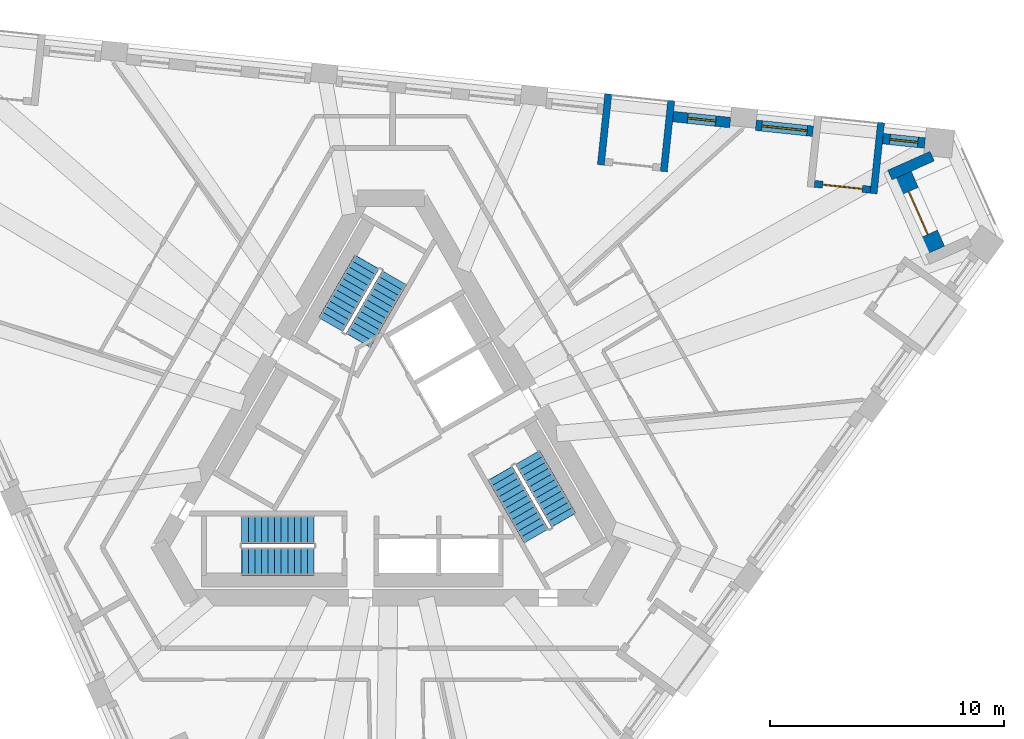
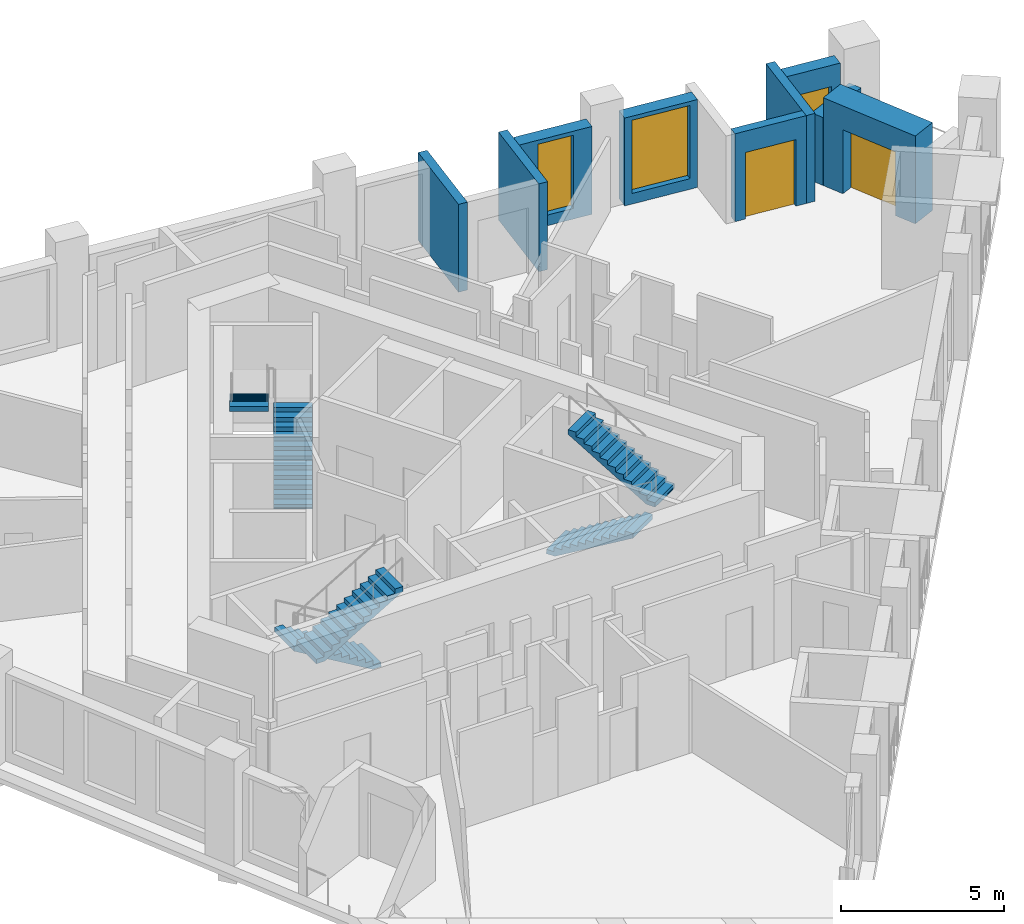
# One storey, part 8 of 11: 9 walls, 6 stair flights, 3 windows, 2 doors, 5 openings, 3 elements without a shape of their own.
"""IFC4 building model written with IfcOpenShell, lengths in metres."""

from ifc_helpers import new_model, si_unit, direction, frame, frame_2d, origin, place, context, subcontext, project, spatial, polyline, rectangle, outline, extrude, material, layer, layer_set, type_object, element, fill, aggregate, save


model = new_model("IFC4")

# Units and contexts
model_context = context("Model", 3, precision=1e-05, world=origin(), true_north=direction((0.0, 1.0)))
body_context = subcontext(model_context, "Body", "Model", "MODEL_VIEW")
ifc_project = project(units=[si_unit("LENGTHUNIT", "METRE"), si_unit("AREAUNIT", "SQUARE_METRE"), si_unit("VOLUMEUNIT", "CUBIC_METRE"), si_unit("PLANEANGLEUNIT", "RADIAN"), si_unit("MASSUNIT", "GRAM", prefix="KILO")], contexts=[model_context])

# Site, building, storey
site_placement = place(None, origin())
site = spatial("IfcSite", under=ifc_project, at=site_placement, CompositionType="ELEMENT")
building_placement = place(site_placement, origin())
building = spatial("IfcBuilding", under=site, at=building_placement, Name="Tramontana Tower", CompositionType="ELEMENT")
storey_placement = place(building_placement, frame((0.0, 0.0, 241.199951171875)))
storey = spatial("IfcBuildingStorey", under=building, at=storey_placement, Name="L56", CompositionType="ELEMENT", Elevation=241.199951171875)

# Wall, opening, window
ifc_material_1 = material(Name="Precast concrete 60 MPa", Category="concrete")
ifc_layer_1 = layer(ifc_material_1, 0.449951171875)
ifc_layer_set_1 = layer_set([ifc_layer_1], Name="Precast concrete 60 MPa, 450 mm")
wall_type_1 = type_object("IfcWallType", Name="EW1 Stone-faced precast wall 450", PredefinedType="SOLIDWALL", material=ifc_layer_set_1)
wall_1_placement = place(storey_placement, frame((22.8017578125, 13.012939453125, 0.0), z_axis=(0.0, 0.0, 1.0), x_axis=(-0.994529922737, 0.104452059724, 0.0)))
wall_1 = element("IfcWall", 1, at=wall_1_placement, inside=storey, type_object=wall_type_1, Name="External wall L56 face 2 bay 1", PredefinedType="SOLIDWALL", context=body_context, shape_type="SweptSolid", body=[
    extrude(rectangle(XDim=1.802001953125, YDim=0.449951171875, at=frame_2d((0.90087890625, 0.0))), origin(), (0.0, 0.0, 1.0), 3.300048828125),
])
opening_1_placement = place(wall_1_placement, frame((0.301025390625, 0.0, 0.39990234375)))
opening_1 = element("IfcOpeningElement", 2, at=opening_1_placement, cuts=wall_1, Name="Opening N3L", PredefinedType="OPENING", context=body_context, shape_type="SweptSolid", body=[
    extrude(rectangle(XDim=1.199951171875, YDim=2.10009765625, at=frame_2d((0.60009765625, 1.050048828125))), frame((0.0, 0.23486328125, 0.0), z_axis=(0.0, -1.0, 0.0), x_axis=(1.0, 0.0, 0.0)), (0.0, 0.0, 1.0), 0.469970703125),
])
ifc_material_2 = material(Name="Aluminum frame, double glazing unit", Category="aluminium")
window_type_1 = type_object("IfcWindowType", Name="N3L Window 1.2 x 2.1", PartitioningType="SINGLE_PANEL", PredefinedType="WINDOW", material=ifc_material_2)
window_1_placement = place(opening_1_placement, origin())
window_1 = element("IfcWindow", 3, at=window_1_placement, inside=storey, type_object=window_type_1, Name="Window N3L L56 face 2 module 1", OverallHeight=2.10009765625, OverallWidth=1.199951171875, PartitioningType="SINGLE_PANEL", PredefinedType="WINDOW", context=body_context, shape_type="SweptSolid", body=[
    extrude(rectangle(XDim=1.199951171875, YDim=2.10009765625, at=frame_2d((0.60009765625, 1.050048828125))), frame((0.0, 0.030029296875, 0.0), z_axis=(0.0, -1.0, 0.0), x_axis=(1.0, 0.0, 0.0)), (0.0, 0.0, 1.0), 0.06005859375),
])
fill(opening_1, window_1)

wall_2_placement = place(storey_placement, frame((18.023681640625, 13.51513671875, 0.0), z_axis=(0.0, 0.0, 1.0), x_axis=(-0.994520717537, 0.104539668977, 0.0)))
wall_2 = element("IfcWall", 4, at=wall_2_placement, inside=storey, type_object=wall_type_1, Name="External wall L56 face 2 bay 1", PredefinedType="SOLIDWALL", context=body_context, shape_type="SweptSolid", body=[
    extrude(rectangle(XDim=2.4521484375, YDim=0.449951171875, at=frame_2d((1.22607421875, 0.0))), origin(), (0.0, 0.0, 1.0), 3.300048828125),
])
opening_2_placement = place(wall_2_placement, frame((0.251220703125, 0.0, 0.39990234375)))
opening_2 = element("IfcOpeningElement", 5, at=opening_2_placement, cuts=wall_2, Name="Opening M3", PredefinedType="OPENING", context=body_context, shape_type="SweptSolid", body=[
    extrude(rectangle(XDim=1.949951171875, YDim=2.75, at=frame_2d((0.97509765625, 1.375))), frame((0.0, 0.23486328125, 0.0), z_axis=(0.0, -1.0, 0.0), x_axis=(1.0, 0.0, 0.0)), (0.0, 0.0, 1.0), 0.469970703125),
])
ifc_material_3 = material(Name="Aluminum frame, double glazing unit", Category="aluminium")
window_type_2 = type_object("IfcWindowType", Name="M3 Window 1.95 x 2.75", PartitioningType="SINGLE_PANEL", PredefinedType="WINDOW", material=ifc_material_3)
window_2_placement = place(opening_2_placement, origin())
window_2 = element("IfcWindow", 6, at=window_2_placement, inside=storey, type_object=window_type_2, Name="Window M3 L56 face 2 module 3", OverallHeight=2.75, OverallWidth=1.949951171875, PartitioningType="SINGLE_PANEL", PredefinedType="WINDOW", context=body_context, shape_type="SweptSolid", body=[
    extrude(rectangle(XDim=1.949951171875, YDim=2.75, at=frame_2d((0.97509765625, 1.375))), frame((0.0, 0.030029296875, 0.0), z_axis=(0.0, -1.0, 0.0), x_axis=(1.0, 0.0, 0.0)), (0.0, 0.0, 1.0), 0.06005859375),
])
fill(opening_2, window_2)

wall_3_placement = place(storey_placement, frame((14.490966796875, 13.886474609375, 0.0), z_axis=(0.0, 0.0, 1.0), x_axis=(-0.99453214974, 0.104430853361, 0.0)))
wall_3 = element("IfcWall", 7, at=wall_3_placement, inside=storey, type_object=wall_type_1, Name="External wall L56 face 2 bay 2", PredefinedType="SOLIDWALL", context=body_context, shape_type="SweptSolid", body=[
    extrude(rectangle(XDim=2.452392578125, YDim=0.449951171875, at=frame_2d((1.22607421875, 0.0))), origin(), (0.0, 0.0, 1.0), 3.300048828125),
])
opening_3_placement = place(wall_3_placement, frame((0.626220703125, 0.0, 0.39990234375)))
opening_3 = element("IfcOpeningElement", 8, at=opening_3_placement, cuts=wall_3, Name="Opening N3", PredefinedType="OPENING", context=body_context, shape_type="SweptSolid", body=[
    extrude(rectangle(XDim=1.199951171875, YDim=2.75, at=frame_2d((0.60009765625, 1.375))), frame((0.0, 0.23486328125, 0.0), z_axis=(0.0, -1.0, 0.0), x_axis=(1.0, 0.0, 0.0)), (0.0, 0.0, 1.0), 0.469970703125),
])
ifc_material_4 = material(Name="Aluminum frame, double glazing unit", Category="aluminium")
window_type_3 = type_object("IfcWindowType", Name="N3 Window 1.2 x 2.75", PartitioningType="SINGLE_PANEL", PredefinedType="WINDOW", material=ifc_material_4)
window_3_placement = place(opening_3_placement, origin())
window_3 = element("IfcWindow", 9, at=window_3_placement, inside=storey, type_object=window_type_3, Name="Window N3 L56 face 2 module 4", OverallHeight=2.75, OverallWidth=1.199951171875, PartitioningType="SINGLE_PANEL", PredefinedType="WINDOW", context=body_context, shape_type="SweptSolid", body=[
    extrude(rectangle(XDim=1.199951171875, YDim=2.75, at=frame_2d((0.60009765625, 1.375))), frame((0.0, 0.030029296875, 0.0), z_axis=(0.0, -1.0, 0.0), x_axis=(1.0, 0.0, 0.0)), (0.0, 0.0, 1.0), 0.06005859375),
])
fill(opening_3, window_3)

# Wall
wall_4_placement = place(storey_placement, frame((23.112548828125, 12.452392578125, 0.0), z_axis=(0.0, 0.0, 1.0), x_axis=(-0.913516289312, -0.406802149899, 0.0)))
element("IfcWall", 10, at=wall_4_placement, inside=storey, type_object=wall_type_1, Name="Corner loggia side wall L56 K62l", PredefinedType="SOLIDWALL", context=body_context, shape_type="SweptSolid", body=[
    extrude(rectangle(XDim=1.979248046875, YDim=0.449951171875, at=frame_2d((0.98974609375, 0.0))), origin(), (0.0, 0.0, 1.0), 2.550048828125),
])

# Wall, opening, door
ifc_material_5 = material(Name="Precast concrete 60 MPa", Category="concrete")
ifc_layer_2 = layer(ifc_material_5, 0.89990234375)
ifc_layer_set_2 = layer_set([ifc_layer_2], Name="EW2 Stone-faced corner loggia wall 900")
wall_type_2 = type_object("IfcWallType", Name="EW2 Stone-faced corner loggia wall 900", PredefinedType="SOLIDWALL", material=ifc_layer_set_2)
wall_5_placement = place(storey_placement, frame((21.80712890625, 11.624755859375, 0.0), z_axis=(0.0, 0.0, 1.0), x_axis=(0.406727323635, -0.913549606868, 0.0)))
wall_5 = element("IfcWall", 11, at=wall_5_placement, inside=storey, type_object=wall_type_2, Name="Corner loggia wall L56 K62", PredefinedType="SOLIDWALL", context=body_context, shape_type="SweptSolid", body=[
    extrude(rectangle(XDim=3.5, YDim=0.89990234375, at=frame_2d((1.75, 0.0))), origin(), (0.0, 0.0, 1.0), 3.300048828125),
])
opening_4_placement = place(wall_5_placement, frame((0.75, 0.0, 0.0)))
opening_4 = element("IfcOpeningElement", 12, at=opening_4_placement, cuts=wall_5, Name="Opening BD-62C", PredefinedType="OPENING", context=body_context, shape_type="SweptSolid", body=[
    extrude(rectangle(XDim=2.0, YDim=2.39990234375, at=frame_2d((1.0, 1.199951171875))), frame((0.0, 0.4599609375, 0.0), z_axis=(0.0, -1.0, 0.0), x_axis=(1.0, 0.0, 0.0)), (0.0, 0.0, 1.0), 0.919921875),
])
ifc_material_6 = material(Name="Aluminum frame, double glazing unit", Category="aluminium")
door_type_1 = type_object("IfcDoorType", Name="BC1 Sliding door 2 x 2.4", OperationType="SLIDING_TO_LEFT", PredefinedType="DOOR", material=ifc_material_6)
door_1_placement = place(opening_4_placement, origin())
door_1 = element("IfcDoor", 13, at=door_1_placement, inside=storey, type_object=door_type_1, Name="Corner loggia door L56 K62", OperationType="SLIDING_TO_LEFT", OverallHeight=2.39990234375, OverallWidth=2.0, PredefinedType="DOOR", context=body_context, shape_type="SweptSolid", body=[
    extrude(rectangle(XDim=2.0, YDim=2.39990234375, at=frame_2d((1.0, 1.199951171875))), frame((0.0, 0.02490234375, 0.0), z_axis=(0.0, -1.0, 0.0), x_axis=(1.0, 0.0, 0.0)), (0.0, 0.0, 1.0), 0.050048828125),
])
fill(opening_4, door_1)

ifc_material_7 = material(Name="Precast concrete 60 MPa", Category="concrete")
ifc_layer_3 = layer(ifc_material_7, 0.300048828125)
ifc_layer_set_3 = layer_set([ifc_layer_3], Name="LW1 Stone-faced loggia wall 300")
wall_type_3 = type_object("IfcWallType", Name="LW1 Stone-faced loggia wall 300", PredefinedType="SOLIDWALL", material=ifc_layer_set_3)
wall_6_placement = place(storey_placement, frame((20.478515625, 11.019775390625, 0.0), z_axis=(0.0, 0.0, 1.0), x_axis=(-0.994517140727, 0.104573690763, 0.0)))
wall_6 = element("IfcWall", 14, at=wall_6_placement, inside=storey, type_object=wall_type_3, Name="Loggia wall L56 G6S2.1", PredefinedType="SOLIDWALL", context=body_context, shape_type="SweptSolid", body=[
    extrude(rectangle(XDim=2.40234375, YDim=0.300048828125, at=frame_2d((1.201171875, 0.0))), origin(), (0.0, 0.0, 1.0), 3.300048828125),
])
opening_5_placement = place(wall_6_placement, frame((0.35107421875, 0.0, 0.0)))
opening_5 = element("IfcOpeningElement", 15, at=opening_5_placement, cuts=wall_6, Name="Opening BD-6S2-01", PredefinedType="OPENING", context=body_context, shape_type="SweptSolid", body=[
    extrude(rectangle(XDim=1.699951171875, YDim=2.5, at=frame_2d((0.85009765625, 1.25))), frame((0.0, 0.159912109375, 0.0), z_axis=(0.0, -1.0, 0.0), x_axis=(1.0, 0.0, 0.0)), (0.0, 0.0, 1.0), 0.320068359375),
])
ifc_material_8 = material(Name="Aluminum frame, double glazing unit", Category="aluminium")
door_type_2 = type_object("IfcDoorType", Name="BD3 Sliding door 1.7 x 2.5", OperationType="SLIDING_TO_LEFT", PredefinedType="DOOR", material=ifc_material_8)
door_2_placement = place(opening_5_placement, origin())
door_2 = element("IfcDoor", 16, at=door_2_placement, inside=storey, type_object=door_type_2, Name="Loggia door L56 G6S2.1", OperationType="SLIDING_TO_LEFT", OverallHeight=2.5, OverallWidth=1.699951171875, PredefinedType="DOOR", context=body_context, shape_type="SweptSolid", body=[
    extrude(rectangle(XDim=1.699951171875, YDim=2.5, at=frame_2d((0.85009765625, 1.25))), frame((0.0, 0.02490234375, 0.0), z_axis=(0.0, -1.0, 0.0), x_axis=(1.0, 0.0, 0.0)), (0.0, 0.0, 1.0), 0.050048828125),
])
fill(opening_5, door_2)

# Walls
for number, where, z_axis, x_axis, name in (
    (17, (20.930908203125, 13.88818359375, 0.0), (0.0, 0.0, 1.0), (-0.104543108891, -0.994520355942, 0.0), "Loggia return L56 G6S2.1a"),
    (18, (11.973388671875, 14.82958984375, 0.0), (0.0, 0.0, 1.0), (-0.104463934444, -0.994528675504, 0.0), "Loggia return L56 G6S2.4a"),
    (19, (9.2861328125, 15.112060546875, 0.0), (0.0, 0.0, 1.0), (-0.104543108891, -0.994520355942, 0.0), "Loggia return L56 G6S2.4b"),
):
    element("IfcWall", number, at=place(storey_placement, frame(where, z_axis=z_axis, x_axis=x_axis)), inside=storey, type_object=wall_type_3, Name=name, PredefinedType="SOLIDWALL", context=body_context, shape_type="SweptSolid", body=[
        extrude(rectangle(XDim=3.0498046875, YDim=0.300048828125, at=frame_2d((1.52490234375, 0.0))), origin(), (0.0, 0.0, 1.0), 3.300048828125),
    ])

# Stair, stair flights
ifc_material_9 = material(Name="Concrete 40 MPa", Category="concrete")
stair_type = type_object("IfcStairType", Name="EXIT STAIR 24 RISERS", PredefinedType="HALF_TURN_STAIR", material=ifc_material_9)
stair_1_placement = place(storey_placement, origin())
stair_1 = element("IfcStair", 20, at=stair_1_placement, inside=storey, type_object=stair_type, Name="L56 Exit stair ST1", PredefinedType="HALF_TURN_STAIR")
ifc_material_10 = material(Name="Concrete 40 MPa", Category="concrete")
ifc_layer_4 = layer(ifc_material_10, 0.14990234375)
ifc_layer_set_4 = layer_set([ifc_layer_4], Name="EXIT STAIR FLIGHT")
stair_flight_type = type_object("IfcStairFlightType", Name="EXIT STAIR FLIGHT", PredefinedType="STRAIGHT", material=ifc_layer_set_4)
stair_flight_1_placement = place(storey_placement, frame((-1.39111328125, 4.590576171875, 0.0), z_axis=(0.0, 0.0, 1.0), x_axis=(0.5, 0.866025403784, 0.0)))
stair_flight_1 = element("IfcStairFlight", 21, at=stair_flight_1_placement, type_object=stair_flight_type, Name="ST1 flight 1", NumberOfRisers=12, NumberOfTreads=11, PredefinedType="STRAIGHT", RiserHeight=0.166666667, TreadLength=0.28, context=body_context, shape_type="SweptSolid", body=[
    extrude(outline(polyline([(-0.006103515625, 0.0), (-0.006103515625, 0.0400390625), (0.0, 0.0400390625), (0.0, 0.166748046875), (0.280029296875, 0.166748046875), (0.280029296875, 0.333251953125), (0.56005859375, 0.333251953125), (0.56005859375, 0.5), (0.840087890625, 0.5), (0.840087890625, 0.666748046875), (1.1201171875, 0.666748046875), (1.1201171875, 0.833251953125), (1.39990234375, 0.833251953125), (1.39990234375, 1.0), (1.679931640625, 1.0), (1.679931640625, 1.166748046875), (1.9599609375, 1.166748046875), (1.9599609375, 1.333251953125), (2.239990234375, 1.333251953125), (2.239990234375, 1.5), (2.52001953125, 1.5), (2.52001953125, 1.666748046875), (2.800048828125, 1.666748046875), (2.800048828125, 1.833251953125), (3.080078125, 1.833251953125), (3.0859375, 1.833251953125), (3.0859375, 1.658935546875), (0.299072265625, 0.0), (-0.006103515625, 0.0)])), frame((0.0, 0.60009765625, 0.0), z_axis=(0.0, -1.0, 0.0), x_axis=(1.0, 0.0, 0.0)), (0.0, 0.0, 1.0), 1.199951171875),
])
stair_flight_2_placement = place(storey_placement, frame((-1.020263671875, 7.932861328125, 2.0), z_axis=(0.0, 0.0, 1.0), x_axis=(-0.5, -0.866025403784, 0.0)))
stair_flight_2 = element("IfcStairFlight", 22, at=stair_flight_2_placement, type_object=stair_flight_type, Name="ST1 flight 2", NumberOfRisers=12, NumberOfTreads=11, PredefinedType="STRAIGHT", RiserHeight=0.166666667, TreadLength=0.28, context=body_context, shape_type="SweptSolid", body=[
    extrude(outline(polyline([(-0.006103515625, 0.0), (-0.006103515625, 0.0400390625), (0.0, 0.0400390625), (0.0, 0.166748046875), (0.280029296875, 0.166748046875), (0.280029296875, 0.333251953125), (0.56005859375, 0.333251953125), (0.56005859375, 0.5), (0.840087890625, 0.5), (0.840087890625, 0.666748046875), (1.1201171875, 0.666748046875), (1.1201171875, 0.833251953125), (1.39990234375, 0.833251953125), (1.39990234375, 1.0), (1.679931640625, 1.0), (1.679931640625, 1.166748046875), (1.9599609375, 1.166748046875), (1.9599609375, 1.333251953125), (2.239990234375, 1.333251953125), (2.239990234375, 1.5), (2.52001953125, 1.5), (2.52001953125, 1.666748046875), (2.800048828125, 1.666748046875), (2.800048828125, 1.833251953125), (3.080078125, 1.833251953125), (3.0859375, 1.833251953125), (3.0859375, 1.658935546875), (0.299072265625, 0.0), (-0.006103515625, 0.0)])), frame((0.0, 0.60009765625, 0.0), z_axis=(0.0, -1.0, 0.0), x_axis=(1.0, 0.0, 0.0)), (0.0, 0.0, 1.0), 1.199951171875),
])
aggregate(stair_1, [stair_flight_1, stair_flight_2])

stair_2_placement = place(storey_placement, origin())
stair_2 = element("IfcStair", 23, at=stair_2_placement, inside=storey, type_object=stair_type, Name="L56 Exit stair ST2", PredefinedType="HALF_TURN_STAIR")
stair_flight_3_placement = place(storey_placement, frame((-3.280029296875, -3.5, 0.0), z_axis=(0.0, 0.0, 1.0), x_axis=(-1.0, 0.0, 0.0)))
stair_flight_3 = element("IfcStairFlight", 24, at=stair_flight_3_placement, type_object=stair_flight_type, Name="ST2 flight 1", NumberOfRisers=12, NumberOfTreads=11, PredefinedType="STRAIGHT", RiserHeight=0.166666667, TreadLength=0.28, context=body_context, shape_type="SweptSolid", body=[
    extrude(outline(polyline([(-0.006103515625, 0.0), (-0.006103515625, 0.0400390625), (0.0, 0.0400390625), (0.0, 0.166748046875), (0.280029296875, 0.166748046875), (0.280029296875, 0.333251953125), (0.56005859375, 0.333251953125), (0.56005859375, 0.5), (0.840087890625, 0.5), (0.840087890625, 0.666748046875), (1.1201171875, 0.666748046875), (1.1201171875, 0.833251953125), (1.39990234375, 0.833251953125), (1.39990234375, 1.0), (1.679931640625, 1.0), (1.679931640625, 1.166748046875), (1.9599609375, 1.166748046875), (1.9599609375, 1.333251953125), (2.239990234375, 1.333251953125), (2.239990234375, 1.5), (2.52001953125, 1.5), (2.52001953125, 1.666748046875), (2.800048828125, 1.666748046875), (2.800048828125, 1.833251953125), (3.080078125, 1.833251953125), (3.0859375, 1.833251953125), (3.0859375, 1.658935546875), (0.299072265625, 0.0), (-0.006103515625, 0.0)])), frame((0.0, 0.60009765625, 0.0), z_axis=(0.0, -1.0, 0.0), x_axis=(1.0, 0.0, 0.0)), (0.0, 0.0, 1.0), 1.199951171875),
])
stair_flight_4_placement = place(storey_placement, frame((-6.360107421875, -4.85009765625, 2.0), z_axis=(0.0, 0.0, 1.0), x_axis=(1.0, 0.0, 0.0)))
stair_flight_4 = element("IfcStairFlight", 25, at=stair_flight_4_placement, type_object=stair_flight_type, Name="ST2 flight 2", NumberOfRisers=12, NumberOfTreads=11, PredefinedType="STRAIGHT", RiserHeight=0.166666667, TreadLength=0.28, context=body_context, shape_type="SweptSolid", body=[
    extrude(outline(polyline([(-0.006103515625, 0.0), (-0.006103515625, 0.0400390625), (0.0, 0.0400390625), (0.0, 0.166748046875), (0.280029296875, 0.166748046875), (0.280029296875, 0.333251953125), (0.56005859375, 0.333251953125), (0.56005859375, 0.5), (0.840087890625, 0.5), (0.840087890625, 0.666748046875), (1.1201171875, 0.666748046875), (1.1201171875, 0.833251953125), (1.39990234375, 0.833251953125), (1.39990234375, 1.0), (1.679931640625, 1.0), (1.679931640625, 1.166748046875), (1.9599609375, 1.166748046875), (1.9599609375, 1.333251953125), (2.239990234375, 1.333251953125), (2.239990234375, 1.5), (2.52001953125, 1.5), (2.52001953125, 1.666748046875), (2.800048828125, 1.666748046875), (2.800048828125, 1.833251953125), (3.080078125, 1.833251953125), (3.0859375, 1.833251953125), (3.0859375, 1.658935546875), (0.299072265625, 0.0), (-0.006103515625, 0.0)])), frame((0.0, 0.60009765625, 0.0), z_axis=(0.0, -1.0, 0.0), x_axis=(1.0, 0.0, 0.0)), (0.0, 0.0, 1.0), 1.199951171875),
])
aggregate(stair_2, [stair_flight_3, stair_flight_4])

stair_3_placement = place(storey_placement, origin())
stair_3 = element("IfcStair", 26, at=stair_3_placement, inside=storey, type_object=stair_type, Name="L56 Exit stair ST3", PredefinedType="HALF_TURN_STAIR")
stair_flight_5_placement = place(storey_placement, frame((4.671142578125, -1.090576171875, 0.0), z_axis=(0.0, 0.0, 1.0), x_axis=(0.5, -0.866025403784, 0.0)))
stair_flight_5 = element("IfcStairFlight", 27, at=stair_flight_5_placement, type_object=stair_flight_type, Name="ST3 flight 1", NumberOfRisers=12, NumberOfTreads=11, PredefinedType="STRAIGHT", RiserHeight=0.166666667, TreadLength=0.28, context=body_context, shape_type="SweptSolid", body=[
    extrude(outline(polyline([(-0.006103515625, 0.0), (-0.006103515625, 0.0400390625), (0.0, 0.0400390625), (0.0, 0.166748046875), (0.280029296875, 0.166748046875), (0.280029296875, 0.333251953125), (0.56005859375, 0.333251953125), (0.56005859375, 0.5), (0.840087890625, 0.5), (0.840087890625, 0.666748046875), (1.1201171875, 0.666748046875), (1.1201171875, 0.833251953125), (1.39990234375, 0.833251953125), (1.39990234375, 1.0), (1.679931640625, 1.0), (1.679931640625, 1.166748046875), (1.9599609375, 1.166748046875), (1.9599609375, 1.333251953125), (2.239990234375, 1.333251953125), (2.239990234375, 1.5), (2.52001953125, 1.5), (2.52001953125, 1.666748046875), (2.800048828125, 1.666748046875), (2.800048828125, 1.833251953125), (3.080078125, 1.833251953125), (3.0859375, 1.833251953125), (3.0859375, 1.658935546875), (0.299072265625, 0.0), (-0.006103515625, 0.0)])), frame((0.0, 0.60009765625, 0.0), z_axis=(0.0, -1.0, 0.0), x_axis=(1.0, 0.0, 0.0)), (0.0, 0.0, 1.0), 1.199951171875),
])
stair_flight_6_placement = place(storey_placement, frame((7.380126953125, -3.0830078125, 2.0), z_axis=(0.0, 0.0, 1.0), x_axis=(-0.5, 0.866025403784, 0.0)))
stair_flight_6 = element("IfcStairFlight", 28, at=stair_flight_6_placement, type_object=stair_flight_type, Name="ST3 flight 2", NumberOfRisers=12, NumberOfTreads=11, PredefinedType="STRAIGHT", RiserHeight=0.166666667, TreadLength=0.28, context=body_context, shape_type="SweptSolid", body=[
    extrude(outline(polyline([(-0.006103515625, 0.0), (-0.006103515625, 0.0400390625), (0.0, 0.0400390625), (0.0, 0.166748046875), (0.280029296875, 0.166748046875), (0.280029296875, 0.333251953125), (0.56005859375, 0.333251953125), (0.56005859375, 0.5), (0.840087890625, 0.5), (0.840087890625, 0.666748046875), (1.1201171875, 0.666748046875), (1.1201171875, 0.833251953125), (1.39990234375, 0.833251953125), (1.39990234375, 1.0), (1.679931640625, 1.0), (1.679931640625, 1.166748046875), (1.9599609375, 1.166748046875), (1.9599609375, 1.333251953125), (2.239990234375, 1.333251953125), (2.239990234375, 1.5), (2.52001953125, 1.5), (2.52001953125, 1.666748046875), (2.800048828125, 1.666748046875), (2.800048828125, 1.833251953125), (3.080078125, 1.833251953125), (3.0859375, 1.833251953125), (3.0859375, 1.658935546875), (0.299072265625, 0.0), (-0.006103515625, 0.0)])), frame((0.0, 0.60009765625, 0.0), z_axis=(0.0, -1.0, 0.0), x_axis=(1.0, 0.0, 0.0)), (0.0, 0.0, 1.0), 1.199951171875),
])
aggregate(stair_3, [stair_flight_5, stair_flight_6])

save(model, "model.ifc")
